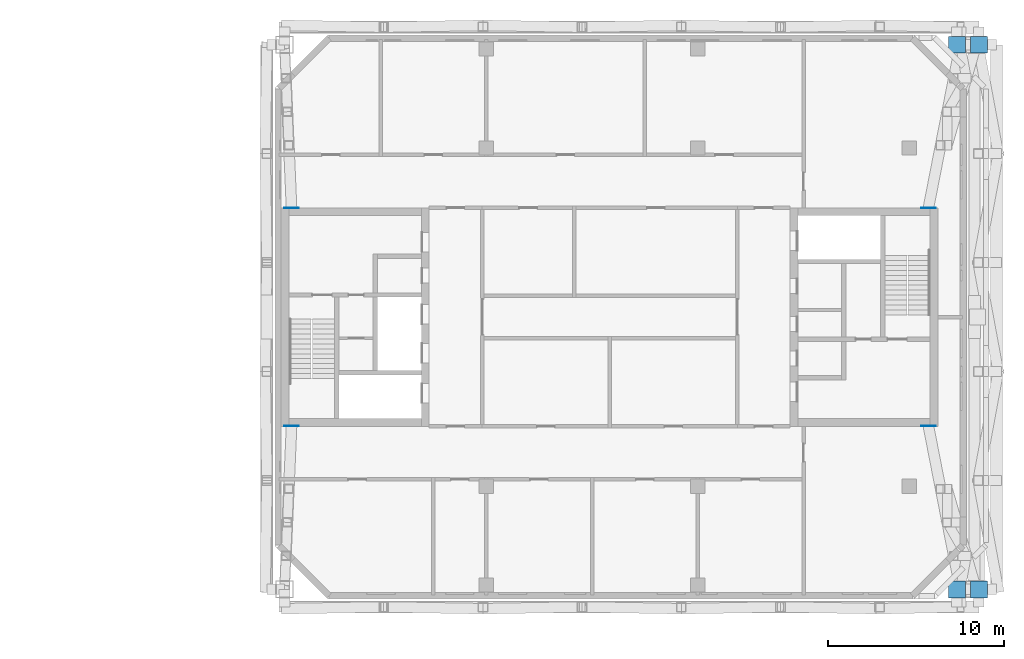
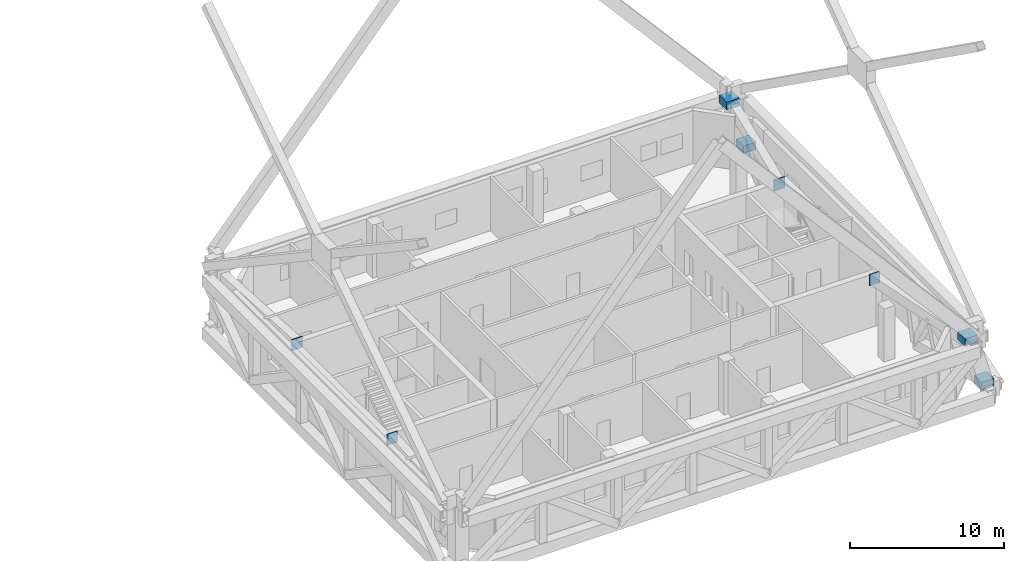
# One storey, part 19 of 20: 8 discrete accessories.
"""IFC4 building model written with IfcOpenShell, lengths in metres."""

from ifc_helpers import new_model, si_unit, direction, frame, origin, origin_2d, place, context, subcontext, project, spatial, rectangle, extrude, element, save


model = new_model("IFC4")

# Units and contexts
model_context = context("Model", 3, precision=1e-05, world=origin(), true_north=direction((0.0, 1.0)))
body_context = subcontext(model_context, "Body", "Model", "MODEL_VIEW")
ifc_project = project(units=[si_unit("LENGTHUNIT", "METRE"), si_unit("AREAUNIT", "SQUARE_METRE"), si_unit("VOLUMEUNIT", "CUBIC_METRE"), si_unit("PLANEANGLEUNIT", "RADIAN"), si_unit("MASSUNIT", "GRAM", prefix="KILO")], contexts=[model_context])

# Site, building, storey
site_placement = place(None, origin())
site = spatial("IfcSite", under=ifc_project, at=site_placement, CompositionType="ELEMENT")
building_placement = place(site_placement, origin())
building = spatial("IfcBuilding", under=site, at=building_placement, Name="Tuart Gate Housing", CompositionType="ELEMENT")
storey_placement = place(building_placement, frame((0.0, 0.0, 167.10009765625)))
storey = spatial("IfcBuildingStorey", under=building, at=storey_placement, Name="L47", CompositionType="ELEMENT", Elevation=167.10009765625)

# Discrete accessories
for number, where, z_axis, x_axis, name in (
    (1, (170.949951171875, 54.550048828125, -0.000244140625), (0.0, 0.0, 1.0), (1.0, 0.0, 0.0), "Mega column node B south-east foot L47"),
    (2, (169.699951171875, 54.550048828125, 3.89990234375), (0.0, 0.0, 1.0), (1.0, 0.0, 0.0), "Mega column node B south-east head L47"),
    (3, (170.949951171875, 85.449951171875, -0.000244140625), (0.0, 0.0, 1.0), (1.0, 0.0, 0.0), "Mega column node B north-east foot L47"),
    (4, (169.699951171875, 85.449951171875, 3.89990234375), (0.0, 0.0, 1.0), (1.0, 0.0, 0.0), "Mega column node B north-east head L47"),
):
    element("IfcDiscreteAccessory", number, at=place(storey_placement, frame(where, z_axis=z_axis, x_axis=x_axis)), inside=storey, Name=name, ObjectType="Mega column node", PredefinedType="USERDEFINED", context=body_context, shape_type="SweptSolid", body=[
        extrude(rectangle(XDim=0.9599609375, YDim=0.9599609375, at=origin_2d()), origin(), (0.0, 0.0, 1.0), 0.60009765625),
    ])
for number, where, z_axis, x_axis, name in (
    (5, (168.0888671875, 63.820068359375, 3.349853515625), (0.0, 0.0, 1.0), (1.0, 0.0, 0.0), "Outrigger embed plate BK south L47"),
    (6, (168.0888671875, 76.179931640625, 3.349853515625), (0.0, 0.0, 1.0), (1.0, 0.0, 0.0), "Outrigger embed plate BK north L47"),
):
    element("IfcDiscreteAccessory", number, at=place(storey_placement, frame(where, z_axis=z_axis, x_axis=x_axis)), inside=storey, Name=name, PredefinedType="ANCHORPLATE", context=body_context, shape_type="SweptSolid", body=[
        extrude(rectangle(XDim=0.811279296875, YDim=0.0400390625, at=origin_2d()), origin(), (0.0, 0.0, 1.0), 0.89990234375),
    ])
for number, where, z_axis, x_axis, name in (
    (7, (131.94921875, 63.820068359375, 3.349853515625), (0.0, 0.0, 1.0), (1.0, 0.0, 0.0), "Outrigger embed plate BG south L47"),
    (8, (131.94921875, 76.179931640625, 3.349853515625), (0.0, 0.0, 1.0), (1.0, 0.0, 0.0), "Outrigger embed plate BG north L47"),
):
    element("IfcDiscreteAccessory", number, at=place(storey_placement, frame(where, z_axis=z_axis, x_axis=x_axis)), inside=storey, Name=name, PredefinedType="ANCHORPLATE", context=body_context, shape_type="SweptSolid", body=[
        extrude(rectangle(XDim=0.800537109375, YDim=0.0400390625, at=origin_2d()), origin(), (0.0, 0.0, 1.0), 0.89990234375),
    ])

save(model, "model.ifc")
